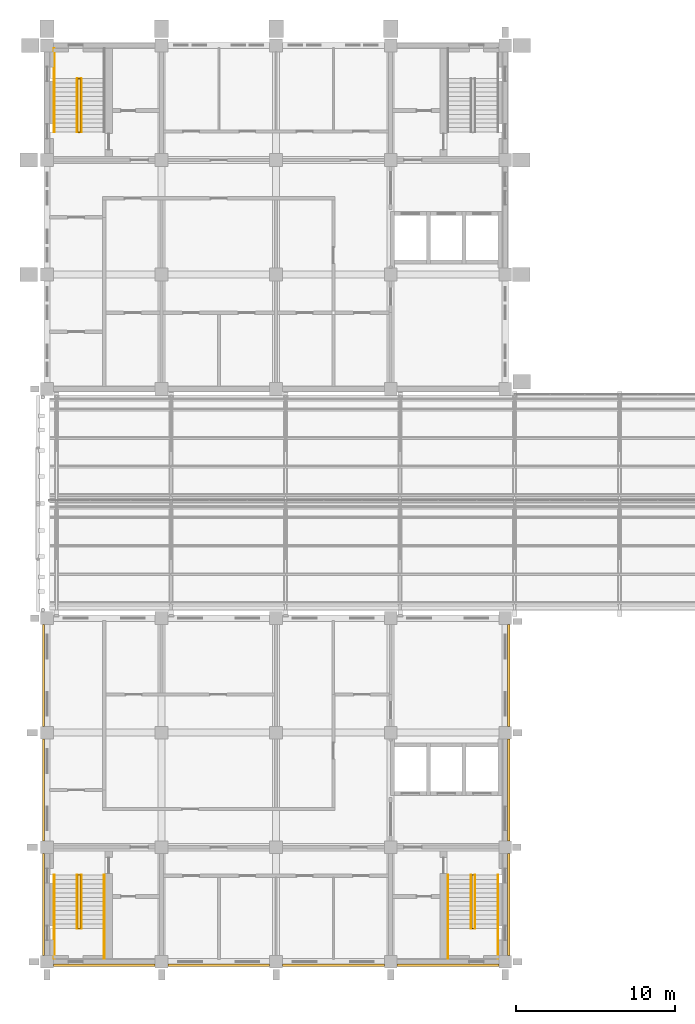
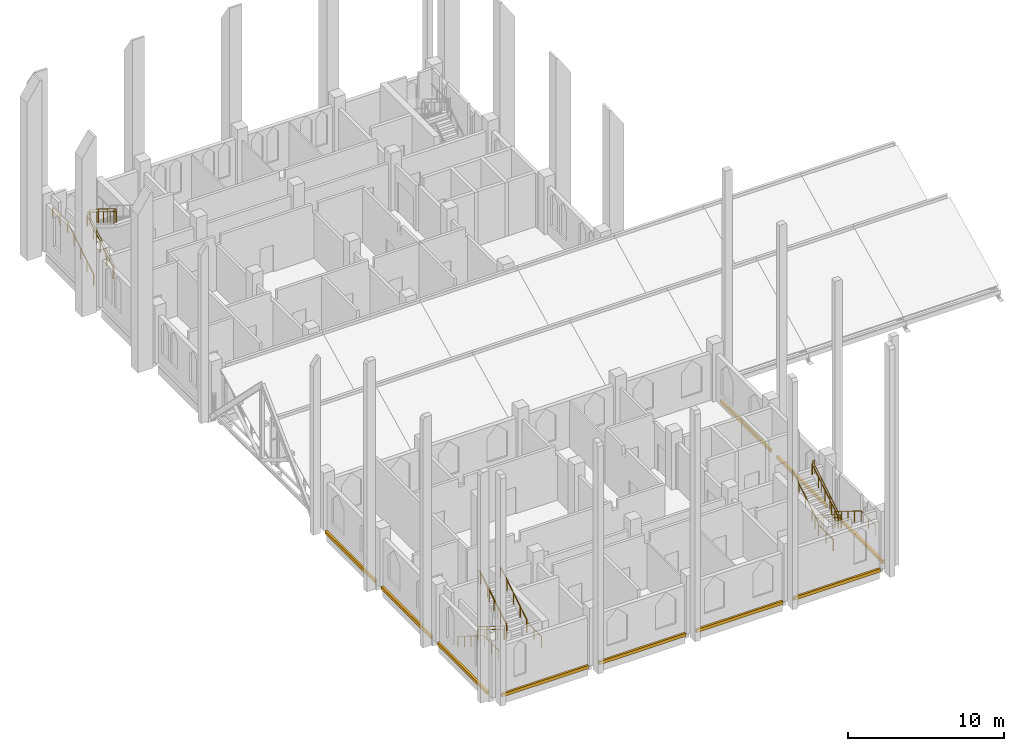
# One storey, part 28 of 29: 14 railings, 10 coverings.
"""IFC4 building model written with IfcOpenShell, lengths in metres."""

from ifc_helpers import new_model, si_unit, direction, frame, origin, origin_2d, place, context, subcontext, project, spatial, rectangle, circle, extrude, material, type_object, element, save


model = new_model("IFC4")

# Units and contexts
model_context = context("Model", 3, precision=1e-05, world=origin(), true_north=direction((0.0, 1.0)))
body_context = subcontext(model_context, "Body", "Model", "MODEL_VIEW")
ifc_project = project(units=[si_unit("LENGTHUNIT", "METRE"), si_unit("AREAUNIT", "SQUARE_METRE"), si_unit("VOLUMEUNIT", "CUBIC_METRE"), si_unit("PLANEANGLEUNIT", "RADIAN"), si_unit("MASSUNIT", "GRAM", prefix="KILO")], contexts=[model_context])

# Site, building, storey
site_placement = place(None, origin())
site = spatial("IfcSite", under=ifc_project, at=site_placement, CompositionType="ELEMENT")
building_placement = place(site_placement, origin())
building = spatial("IfcBuilding", under=site, at=building_placement, Name="Silangan Lancet Faculty of Sciences", CompositionType="ELEMENT")
storey_placement = place(building_placement, frame((0.0, 0.0, 40.800048828125)))
storey = spatial("IfcBuildingStorey", under=building, at=storey_placement, Name="L08", CompositionType="ELEMENT", Elevation=40.800048828125)

# Coverings
ifc_material_1 = material(Name="Concrete C40/50 precast", Category="concrete")
covering_type = type_object("IfcCoveringType", Name="SC1 Precast string course 250 x 150", PredefinedType="CLADDING", material=ifc_material_1)
for number, where, z_axis, x_axis, name in (
    (1, (29.02490234375, 3.60009765625, -0.25), (0.0, 0.0, 1.0), (1.0, 0.0, 0.0), "SC-L08-E-ST-00"),
    (2, (29.02490234375, 10.800048828125, -0.25), (0.0, 0.0, 1.0), (1.0, 0.0, 0.0), "SC-L08-E-ST-01"),
    (3, (29.02490234375, 18.0, -0.25), (0.0, 0.0, 1.0), (1.0, 0.0, 0.0), "SC-L08-E-ST-02"),
):
    element("IfcCovering", number, at=place(storey_placement, frame(where, z_axis=z_axis, x_axis=x_axis)), inside=storey, type_object=covering_type, Name=name, PredefinedType="CLADDING", context=body_context, shape_type="SweptSolid", body=[
        extrude(rectangle(XDim=0.14990234375, YDim=6.39990234375, at=origin_2d()), origin(), (0.0, 0.0, 1.0), 0.25),
    ])
for number, where, z_axis, x_axis, name in (
    (4, (3.60009765625, -0.22509765625, -0.25), (0.0, 0.0, 1.0), (1.0, 0.0, 0.0), "SC-L08-S-ST-00"),
    (5, (10.800048828125, -0.22509765625, -0.25), (0.0, 0.0, 1.0), (1.0, 0.0, 0.0), "SC-L08-S-ST-01"),
    (6, (18.0, -0.22509765625, -0.25), (0.0, 0.0, 1.0), (1.0, 0.0, 0.0), "SC-L08-S-ST-02"),
    (7, (25.199951171875, -0.22509765625, -0.25), (0.0, 0.0, 1.0), (1.0, 0.0, 0.0), "SC-L08-S-ST-03"),
):
    element("IfcCovering", number, at=place(storey_placement, frame(where, z_axis=z_axis, x_axis=x_axis)), inside=storey, type_object=covering_type, Name=name, PredefinedType="CLADDING", context=body_context, shape_type="SweptSolid", body=[
        extrude(rectangle(XDim=6.39990234375, YDim=0.14990234375, at=origin_2d()), origin(), (0.0, 0.0, 1.0), 0.25),
    ])
for number, where, z_axis, x_axis, name in (
    (8, (-0.22509765625, 3.60009765625, -0.25), (0.0, 0.0, 1.0), (1.0, 0.0, 0.0), "SC-L08-W-ST-00"),
    (9, (-0.22509765625, 10.800048828125, -0.25), (0.0, 0.0, 1.0), (1.0, 0.0, 0.0), "SC-L08-W-ST-01"),
    (10, (-0.22509765625, 18.0, -0.25), (0.0, 0.0, 1.0), (1.0, 0.0, 0.0), "SC-L08-W-ST-02"),
):
    element("IfcCovering", number, at=place(storey_placement, frame(where, z_axis=z_axis, x_axis=x_axis)), inside=storey, type_object=covering_type, Name=name, PredefinedType="CLADDING", context=body_context, shape_type="SweptSolid", body=[
        extrude(rectangle(XDim=0.14990234375, YDim=6.39990234375, at=origin_2d()), origin(), (0.0, 0.0, 1.0), 0.25),
    ])

# Railings
ifc_material_2 = material(Name="Steel balustrade", Category="steel")
railing_type_1 = type_object("IfcRailingType", Name="STAIR GUARD 1100", PredefinedType="GUARDRAIL", material=ifc_material_2)
railing_1_placement = place(storey_placement, frame((1.949951171875, 52.14990234375, 0.173095703125)))
element("IfcRailing", 11, at=railing_1_placement, inside=storey, type_object=railing_type_1, Name="GUARD-NT-A-L08", PredefinedType="GUARDRAIL", context=body_context, shape_type="SweptSolid", body=[
    extrude(circle(Radius=0.02392578125, at=origin_2d()), frame((0.0, 0.0, 1.076171875), z_axis=(0.0, 0.850623216509, 0.525775754039), x_axis=(-1.0, 0.0, 0.0)), (0.0, 0.0, 1.0), 3.9501953125),
    extrude(circle(Radius=0.02392578125, at=origin_2d()), frame((0.0, 3.360107421875, 3.15283203125), z_axis=(1.0, 0.0, 0.0), x_axis=(0.0, 1.0, 0.0)), (0.0, 0.0, 1.0), 0.150146484375),
    extrude(circle(Radius=0.02392578125, at=origin_2d()), frame((0.150146484375, 3.360107421875, 3.15283203125), z_axis=(0.0, 0.0, 1.0), x_axis=(1.0, 0.0, 0.0)), (0.0, 0.0, 1.0), 0.173095703125),
    extrude(circle(Radius=0.02392578125, at=origin_2d()), frame((0.150146484375, 3.360107421875, 3.326171875), z_axis=(0.0, -0.850623216509, 0.525775754039), x_axis=(1.0, 0.0, 0.0)), (0.0, 0.0, 1.0), 3.9501953125),
    extrude(circle(Radius=0.02392578125, at=origin_2d()), frame((0.150146484375, 0.0, 5.40283203125), z_axis=(-1.0, 0.0, 0.0), x_axis=(0.0, -1.0, 0.0)), (0.0, 0.0, 1.0), 0.150146484375),
    extrude(circle(Radius=0.02099609375, at=origin_2d()), origin(), (0.0, 0.0, 1.0), 1.052001953125),
    extrude(circle(Radius=0.02099609375, at=origin_2d()), frame((0.0, 1.1201171875, 0.6923828125)), (0.0, 0.0, 1.0), 1.052001953125),
    extrude(circle(Radius=0.02099609375, at=origin_2d()), frame((0.0, 2.239990234375, 1.384521484375)), (0.0, 0.0, 1.0), 1.052001953125),
    extrude(circle(Radius=0.02099609375, at=origin_2d()), frame((0.0, 3.360107421875, 2.076904296875)), (0.0, 0.0, 1.0), 1.052001953125),
    extrude(circle(Radius=0.02099609375, at=origin_2d()), frame((0.150146484375, 3.360107421875, 2.076904296875)), (0.0, 0.0, 1.0), 1.052001953125),
    extrude(circle(Radius=0.02099609375, at=origin_2d()), frame((0.150146484375, 3.360107421875, 2.25)), (0.0, 0.0, 1.0), 1.052001953125),
    extrude(circle(Radius=0.02099609375, at=origin_2d()), frame((0.150146484375, 2.239990234375, 2.9423828125)), (0.0, 0.0, 1.0), 1.052001953125),
    extrude(circle(Radius=0.02099609375, at=origin_2d()), frame((0.150146484375, 1.1201171875, 3.634521484375)), (0.0, 0.0, 1.0), 1.052001953125),
    extrude(circle(Radius=0.02099609375, at=origin_2d()), frame((0.150146484375, 0.0, 4.326904296875)), (0.0, 0.0, 1.0), 1.052001953125),
    extrude(circle(Radius=0.02099609375, at=origin_2d()), frame((0.0, 0.0, 4.326904296875)), (0.0, 0.0, 1.0), 1.052001953125),
])
railing_2_placement = place(storey_placement, frame((1.949951171875, 5.449951171875, 0.173095703125)))
element("IfcRailing", 12, at=railing_2_placement, inside=storey, type_object=railing_type_1, Name="GUARD-ST-A-L08", PredefinedType="GUARDRAIL", context=body_context, shape_type="SweptSolid", body=[
    extrude(circle(Radius=0.02392578125, at=origin_2d()), frame((0.0, 0.0, 1.076171875), z_axis=(0.0, -0.850606129759, 0.525803396734), x_axis=(1.0, 0.0, 0.0)), (0.0, 0.0, 1.0), 3.949951171875),
    extrude(circle(Radius=0.02392578125, at=origin_2d()), frame((0.0, -3.35986328125, 3.15283203125), z_axis=(1.0, 0.0, 0.0), x_axis=(0.0, 1.0, 0.0)), (0.0, 0.0, 1.0), 0.150146484375),
    extrude(circle(Radius=0.02392578125, at=origin_2d()), frame((0.150146484375, -3.35986328125, 3.15283203125), z_axis=(0.0, 0.0, 1.0), x_axis=(1.0, 0.0, 0.0)), (0.0, 0.0, 1.0), 0.173095703125),
    extrude(circle(Radius=0.02392578125, at=origin_2d()), frame((0.150146484375, -3.35986328125, 3.326171875), z_axis=(0.0, 0.850606129759, 0.525803396734), x_axis=(-1.0, 0.0, 0.0)), (0.0, 0.0, 1.0), 3.949951171875),
    extrude(circle(Radius=0.02392578125, at=origin_2d()), frame((0.150146484375, 0.0, 5.40283203125), z_axis=(-1.0, 0.0, 0.0), x_axis=(0.0, -1.0, 0.0)), (0.0, 0.0, 1.0), 0.150146484375),
    extrude(circle(Radius=0.02099609375, at=origin_2d()), origin(), (0.0, 0.0, 1.0), 1.052001953125),
    extrude(circle(Radius=0.02099609375, at=origin_2d()), frame((0.0, -1.119873046875, 0.6923828125)), (0.0, 0.0, 1.0), 1.052001953125),
    extrude(circle(Radius=0.02099609375, at=origin_2d()), frame((0.0, -2.239990234375, 1.384521484375)), (0.0, 0.0, 1.0), 1.052001953125),
    extrude(circle(Radius=0.02099609375, at=origin_2d()), frame((0.0, -3.35986328125, 2.076904296875)), (0.0, 0.0, 1.0), 1.052001953125),
    extrude(circle(Radius=0.02099609375, at=origin_2d()), frame((0.150146484375, -3.35986328125, 2.076904296875)), (0.0, 0.0, 1.0), 1.052001953125),
    extrude(circle(Radius=0.02099609375, at=origin_2d()), frame((0.150146484375, -3.35986328125, 2.25)), (0.0, 0.0, 1.0), 1.052001953125),
    extrude(circle(Radius=0.02099609375, at=origin_2d()), frame((0.150146484375, -2.239990234375, 2.9423828125)), (0.0, 0.0, 1.0), 1.052001953125),
    extrude(circle(Radius=0.02099609375, at=origin_2d()), frame((0.150146484375, -1.119873046875, 3.634521484375)), (0.0, 0.0, 1.0), 1.052001953125),
    extrude(circle(Radius=0.02099609375, at=origin_2d()), frame((0.150146484375, 0.0, 4.326904296875)), (0.0, 0.0, 1.0), 1.052001953125),
    extrude(circle(Radius=0.02099609375, at=origin_2d()), frame((0.0, 0.0, 4.326904296875)), (0.0, 0.0, 1.0), 1.052001953125),
])
railing_3_placement = place(storey_placement, frame((26.85009765625, 5.449951171875, 0.173095703125)))
element("IfcRailing", 13, at=railing_3_placement, inside=storey, type_object=railing_type_1, Name="GUARD-ST-B-L08", PredefinedType="GUARDRAIL", context=body_context, shape_type="SweptSolid", body=[
    extrude(circle(Radius=0.02392578125, at=origin_2d()), frame((0.0, 0.0, 1.076171875), z_axis=(0.0, -0.850606129759, 0.525803396734), x_axis=(1.0, 0.0, 0.0)), (0.0, 0.0, 1.0), 3.949951171875),
    extrude(circle(Radius=0.02392578125, at=origin_2d()), frame((0.0, -3.35986328125, 3.15283203125), z_axis=(-1.0, 0.0, 0.0), x_axis=(0.0, -1.0, 0.0)), (0.0, 0.0, 1.0), 0.150146484375),
    extrude(circle(Radius=0.02392578125, at=origin_2d()), frame((-0.150146484375, -3.35986328125, 3.15283203125), z_axis=(0.0, 0.0, 1.0), x_axis=(1.0, 0.0, 0.0)), (0.0, 0.0, 1.0), 0.173095703125),
    extrude(circle(Radius=0.02392578125, at=origin_2d()), frame((-0.150146484375, -3.35986328125, 3.326171875), z_axis=(0.0, 0.850606129759, 0.525803396734), x_axis=(-1.0, 0.0, 0.0)), (0.0, 0.0, 1.0), 3.949951171875),
    extrude(circle(Radius=0.02392578125, at=origin_2d()), frame((-0.150146484375, 0.0, 5.40283203125), z_axis=(1.0, 0.0, 0.0), x_axis=(0.0, 1.0, 0.0)), (0.0, 0.0, 1.0), 0.150146484375),
    extrude(circle(Radius=0.02099609375, at=origin_2d()), origin(), (0.0, 0.0, 1.0), 1.052001953125),
    extrude(circle(Radius=0.02099609375, at=origin_2d()), frame((0.0, -1.119873046875, 0.6923828125)), (0.0, 0.0, 1.0), 1.052001953125),
    extrude(circle(Radius=0.02099609375, at=origin_2d()), frame((0.0, -2.239990234375, 1.384521484375)), (0.0, 0.0, 1.0), 1.052001953125),
    extrude(circle(Radius=0.02099609375, at=origin_2d()), frame((0.0, -3.35986328125, 2.076904296875)), (0.0, 0.0, 1.0), 1.052001953125),
    extrude(circle(Radius=0.02099609375, at=origin_2d()), frame((-0.150146484375, -3.35986328125, 2.076904296875)), (0.0, 0.0, 1.0), 1.052001953125),
    extrude(circle(Radius=0.02099609375, at=origin_2d()), frame((-0.150146484375, -3.35986328125, 2.25)), (0.0, 0.0, 1.0), 1.052001953125),
    extrude(circle(Radius=0.02099609375, at=origin_2d()), frame((-0.150146484375, -2.239990234375, 2.9423828125)), (0.0, 0.0, 1.0), 1.052001953125),
    extrude(circle(Radius=0.02099609375, at=origin_2d()), frame((-0.150146484375, -1.119873046875, 3.634521484375)), (0.0, 0.0, 1.0), 1.052001953125),
    extrude(circle(Radius=0.02099609375, at=origin_2d()), frame((-0.150146484375, 0.0, 4.326904296875)), (0.0, 0.0, 1.0), 1.052001953125),
    extrude(circle(Radius=0.02099609375, at=origin_2d()), frame((0.0, 0.0, 4.326904296875)), (0.0, 0.0, 1.0), 1.052001953125),
])
ifc_material_3 = material(Name="Stainless steel", Category="steel")
railing_type_2 = type_object("IfcRailingType", Name="STAIR HANDRAIL 865", PredefinedType="HANDRAIL", material=ifc_material_3)
railing_4_placement = place(storey_placement, frame((0.449951171875, 52.14990234375, 0.173095703125)))
element("IfcRailing", 14, at=railing_4_placement, inside=storey, type_object=railing_type_2, Name="HANDRAIL-NT-A-L08-O1", PredefinedType="HANDRAIL", context=body_context, shape_type="SweptSolid", body=[
    extrude(circle(Radius=0.02392578125, at=origin_2d()), frame((0.0, 0.0, 0.8408203125), z_axis=(0.0, 0.850723215571, 0.525613936734), x_axis=(-1.0, 0.0, 0.0)), (0.0, 0.0, 1.0), 0.987548828125),
    extrude(circle(Radius=0.02392578125, at=origin_2d()), frame((0.0, 0.840087890625, 1.35986328125), z_axis=(0.0, 0.85061266112, 0.525792830631), x_axis=(-1.0, 0.0, 0.0)), (0.0, 0.0, 1.0), 0.987548828125),
    extrude(circle(Radius=0.02392578125, at=origin_2d()), frame((0.0, 1.68017578125, 1.87939453125), z_axis=(0.0, 0.850544299321, 0.52590340833), x_axis=(-1.0, 0.0, 0.0)), (0.0, 0.0, 1.0), 0.9873046875),
    extrude(circle(Radius=0.02392578125, at=origin_2d()), frame((0.0, 2.52001953125, 2.3984375), z_axis=(0.0, 0.85061266112, 0.525792830631), x_axis=(-1.0, 0.0, 0.0)), (0.0, 0.0, 1.0), 0.987548828125),
    extrude(circle(Radius=0.02392578125, at=origin_2d()), frame((0.0, 3.360107421875, 2.91796875), z_axis=(0.0, 1.0, 0.0), x_axis=(-1.0, 0.0, 0.0)), (0.0, 0.0, 1.0), 1.889892578125),
    extrude(circle(Radius=0.02099609375, at=origin_2d()), origin(), (0.0, 0.0, 1.0), 0.81689453125),
    extrude(circle(Radius=0.02099609375, at=origin_2d()), frame((0.0, 0.840087890625, 0.51904296875)), (0.0, 0.0, 1.0), 0.81689453125),
    extrude(circle(Radius=0.02099609375, at=origin_2d()), frame((0.0, 1.68017578125, 1.038330078125)), (0.0, 0.0, 1.0), 0.81689453125),
    extrude(circle(Radius=0.02099609375, at=origin_2d()), frame((0.0, 2.52001953125, 1.5576171875)), (0.0, 0.0, 1.0), 0.81689453125),
    extrude(circle(Radius=0.02099609375, at=origin_2d()), frame((0.0, 3.360107421875, 2.076904296875)), (0.0, 0.0, 1.0), 0.81689453125),
    extrude(circle(Radius=0.02099609375, at=origin_2d()), frame((0.0, 4.30517578125, 2.076904296875)), (0.0, 0.0, 1.0), 0.81689453125),
    extrude(circle(Radius=0.02099609375, at=origin_2d()), frame((0.0, 5.25, 2.076904296875)), (0.0, 0.0, 1.0), 0.81689453125),
])
railing_5_placement = place(storey_placement, frame((1.89990234375, 52.14990234375, 0.173095703125)))
element("IfcRailing", 15, at=railing_5_placement, inside=storey, type_object=railing_type_2, Name="HANDRAIL-NT-A-L08-I1", PredefinedType="HANDRAIL", context=body_context, shape_type="SweptSolid", body=[
    extrude(circle(Radius=0.02392578125, at=origin_2d()), frame((0.0, 0.0, 0.8408203125), z_axis=(0.0, 0.850723215571, 0.525613936734), x_axis=(-1.0, 0.0, 0.0)), (0.0, 0.0, 1.0), 0.987548828125),
    extrude(circle(Radius=0.02392578125, at=origin_2d()), frame((0.0, 0.840087890625, 1.35986328125), z_axis=(0.0, 0.85061266112, 0.525792830631), x_axis=(-1.0, 0.0, 0.0)), (0.0, 0.0, 1.0), 0.987548828125),
    extrude(circle(Radius=0.02392578125, at=origin_2d()), frame((0.0, 1.68017578125, 1.87939453125), z_axis=(0.0, 0.850544299321, 0.52590340833), x_axis=(-1.0, 0.0, 0.0)), (0.0, 0.0, 1.0), 0.9873046875),
    extrude(circle(Radius=0.02392578125, at=origin_2d()), frame((0.0, 2.52001953125, 2.3984375), z_axis=(0.0, 0.85061266112, 0.525792830631), x_axis=(-1.0, 0.0, 0.0)), (0.0, 0.0, 1.0), 0.987548828125),
    extrude(circle(Radius=0.02099609375, at=origin_2d()), origin(), (0.0, 0.0, 1.0), 0.81689453125),
    extrude(circle(Radius=0.02099609375, at=origin_2d()), frame((0.0, 0.840087890625, 0.51904296875)), (0.0, 0.0, 1.0), 0.81689453125),
    extrude(circle(Radius=0.02099609375, at=origin_2d()), frame((0.0, 1.68017578125, 1.038330078125)), (0.0, 0.0, 1.0), 0.81689453125),
    extrude(circle(Radius=0.02099609375, at=origin_2d()), frame((0.0, 2.52001953125, 1.5576171875)), (0.0, 0.0, 1.0), 0.81689453125),
    extrude(circle(Radius=0.02099609375, at=origin_2d()), frame((0.0, 3.360107421875, 2.076904296875)), (0.0, 0.0, 1.0), 0.81689453125),
])
railing_6_placement = place(storey_placement, frame((2.14990234375, 55.510009765625, 2.423095703125)))
element("IfcRailing", 16, at=railing_6_placement, inside=storey, type_object=railing_type_2, Name="HANDRAIL-NT-A-L08-I2", PredefinedType="HANDRAIL", context=body_context, shape_type="SweptSolid", body=[
    extrude(circle(Radius=0.02392578125, at=origin_2d()), frame((0.0, 0.0, 0.8408203125), z_axis=(0.0, -0.850723215571, 0.525613936734), x_axis=(1.0, 0.0, 0.0)), (0.0, 0.0, 1.0), 0.987548828125),
    extrude(circle(Radius=0.02392578125, at=origin_2d()), frame((0.0, -0.840087890625, 1.35986328125), z_axis=(0.0, -0.850544299321, 0.52590340833), x_axis=(1.0, 0.0, 0.0)), (0.0, 0.0, 1.0), 0.9873046875),
    extrude(circle(Radius=0.02392578125, at=origin_2d()), frame((0.0, -1.679931640625, 1.87939453125), z_axis=(0.0, -0.85061266112, 0.525792830631), x_axis=(1.0, 0.0, 0.0)), (0.0, 0.0, 1.0), 0.987548828125),
    extrude(circle(Radius=0.02392578125, at=origin_2d()), frame((0.0, -2.52001953125, 2.3984375), z_axis=(0.0, -0.85061266112, 0.525792830631), x_axis=(1.0, 0.0, 0.0)), (0.0, 0.0, 1.0), 0.987548828125),
    extrude(circle(Radius=0.02099609375, at=origin_2d()), origin(), (0.0, 0.0, 1.0), 0.81689453125),
    extrude(circle(Radius=0.02099609375, at=origin_2d()), frame((0.0, -0.840087890625, 0.51904296875)), (0.0, 0.0, 1.0), 0.81689453125),
    extrude(circle(Radius=0.02099609375, at=origin_2d()), frame((0.0, -1.679931640625, 1.038330078125)), (0.0, 0.0, 1.0), 0.81689453125),
    extrude(circle(Radius=0.02099609375, at=origin_2d()), frame((0.0, -2.52001953125, 1.5576171875)), (0.0, 0.0, 1.0), 0.81689453125),
    extrude(circle(Radius=0.02099609375, at=origin_2d()), frame((0.0, -3.360107421875, 2.076904296875)), (0.0, 0.0, 1.0), 0.81689453125),
])
railing_7_placement = place(storey_placement, frame((0.449951171875, 5.449951171875, 0.173095703125)))
element("IfcRailing", 17, at=railing_7_placement, inside=storey, type_object=railing_type_2, Name="HANDRAIL-ST-A-L08-O1", PredefinedType="HANDRAIL", context=body_context, shape_type="SweptSolid", body=[
    extrude(circle(Radius=0.02392578125, at=origin_2d()), frame((0.0, 0.0, 0.8408203125), z_axis=(0.0, -0.850654891397, 0.525724505556), x_axis=(1.0, 0.0, 0.0)), (0.0, 0.0, 1.0), 0.9873046875),
    extrude(circle(Radius=0.02392578125, at=origin_2d()), frame((0.0, -0.83984375, 1.35986328125), z_axis=(0.0, -0.85061266112, 0.525792830631), x_axis=(1.0, 0.0, 0.0)), (0.0, 0.0, 1.0), 0.987548828125),
    extrude(circle(Radius=0.02392578125, at=origin_2d()), frame((0.0, -1.679931640625, 1.87939453125), z_axis=(0.0, -0.85061266112, 0.525792830631), x_axis=(1.0, 0.0, 0.0)), (0.0, 0.0, 1.0), 0.987548828125),
    extrude(circle(Radius=0.02392578125, at=origin_2d()), frame((0.0, -2.52001953125, 2.3984375), z_axis=(0.0, -0.850544299321, 0.52590340833), x_axis=(1.0, 0.0, 0.0)), (0.0, 0.0, 1.0), 0.9873046875),
    extrude(circle(Radius=0.02392578125, at=origin_2d()), frame((0.0, -3.35986328125, 2.91796875), z_axis=(0.0, -1.0, 0.0), x_axis=(1.0, 0.0, 0.0)), (0.0, 0.0, 1.0), 1.89013671875),
    extrude(circle(Radius=0.02099609375, at=origin_2d()), origin(), (0.0, 0.0, 1.0), 0.81689453125),
    extrude(circle(Radius=0.02099609375, at=origin_2d()), frame((0.0, -0.83984375, 0.51904296875)), (0.0, 0.0, 1.0), 0.81689453125),
    extrude(circle(Radius=0.02099609375, at=origin_2d()), frame((0.0, -1.679931640625, 1.038330078125)), (0.0, 0.0, 1.0), 0.81689453125),
    extrude(circle(Radius=0.02099609375, at=origin_2d()), frame((0.0, -2.52001953125, 1.5576171875)), (0.0, 0.0, 1.0), 0.81689453125),
    extrude(circle(Radius=0.02099609375, at=origin_2d()), frame((0.0, -3.35986328125, 2.076904296875)), (0.0, 0.0, 1.0), 0.81689453125),
    extrude(circle(Radius=0.02099609375, at=origin_2d()), frame((0.0, -4.304931640625, 2.076904296875)), (0.0, 0.0, 1.0), 0.81689453125),
    extrude(circle(Radius=0.02099609375, at=origin_2d()), frame((0.0, -5.25, 2.076904296875)), (0.0, 0.0, 1.0), 0.81689453125),
])
railing_8_placement = place(storey_placement, frame((1.89990234375, 5.449951171875, 0.173095703125)))
element("IfcRailing", 18, at=railing_8_placement, inside=storey, type_object=railing_type_2, Name="HANDRAIL-ST-A-L08-I1", PredefinedType="HANDRAIL", context=body_context, shape_type="SweptSolid", body=[
    extrude(circle(Radius=0.02392578125, at=origin_2d()), frame((0.0, 0.0, 0.8408203125), z_axis=(0.0, -0.850654891397, 0.525724505556), x_axis=(1.0, 0.0, 0.0)), (0.0, 0.0, 1.0), 0.9873046875),
    extrude(circle(Radius=0.02392578125, at=origin_2d()), frame((0.0, -0.83984375, 1.35986328125), z_axis=(0.0, -0.85061266112, 0.525792830631), x_axis=(1.0, 0.0, 0.0)), (0.0, 0.0, 1.0), 0.987548828125),
    extrude(circle(Radius=0.02392578125, at=origin_2d()), frame((0.0, -1.679931640625, 1.87939453125), z_axis=(0.0, -0.85061266112, 0.525792830631), x_axis=(1.0, 0.0, 0.0)), (0.0, 0.0, 1.0), 0.987548828125),
    extrude(circle(Radius=0.02392578125, at=origin_2d()), frame((0.0, -2.52001953125, 2.3984375), z_axis=(0.0, -0.850544299321, 0.52590340833), x_axis=(1.0, 0.0, 0.0)), (0.0, 0.0, 1.0), 0.9873046875),
    extrude(circle(Radius=0.02099609375, at=origin_2d()), origin(), (0.0, 0.0, 1.0), 0.81689453125),
    extrude(circle(Radius=0.02099609375, at=origin_2d()), frame((0.0, -0.83984375, 0.51904296875)), (0.0, 0.0, 1.0), 0.81689453125),
    extrude(circle(Radius=0.02099609375, at=origin_2d()), frame((0.0, -1.679931640625, 1.038330078125)), (0.0, 0.0, 1.0), 0.81689453125),
    extrude(circle(Radius=0.02099609375, at=origin_2d()), frame((0.0, -2.52001953125, 1.5576171875)), (0.0, 0.0, 1.0), 0.81689453125),
    extrude(circle(Radius=0.02099609375, at=origin_2d()), frame((0.0, -3.35986328125, 2.076904296875)), (0.0, 0.0, 1.0), 0.81689453125),
])
railing_9_placement = place(storey_placement, frame((3.60009765625, 0.199951171875, 2.25)))
element("IfcRailing", 19, at=railing_9_placement, inside=storey, type_object=railing_type_2, Name="HANDRAIL-ST-A-L08-O2", PredefinedType="HANDRAIL", context=body_context, shape_type="SweptSolid", body=[
    extrude(circle(Radius=0.02392578125, at=origin_2d()), frame((0.0, 0.0, 0.8408203125), z_axis=(0.0, 1.0, 0.0), x_axis=(-1.0, 0.0, 0.0)), (0.0, 0.0, 1.0), 1.89013671875),
    extrude(circle(Radius=0.02392578125, at=origin_2d()), frame((0.0, 1.89013671875, 0.8408203125), z_axis=(0.0, 0.0, 1.0), x_axis=(1.0, 0.0, 0.0)), (0.0, 0.0, 1.0), 0.173095703125),
    extrude(circle(Radius=0.02392578125, at=origin_2d()), frame((0.0, 1.89013671875, 1.01416015625), z_axis=(0.0, 0.850654891397, 0.525724505556), x_axis=(-1.0, 0.0, 0.0)), (0.0, 0.0, 1.0), 0.9873046875),
    extrude(circle(Radius=0.02392578125, at=origin_2d()), frame((0.0, 2.72998046875, 1.533203125), z_axis=(0.0, 0.85061266112, 0.525792830631), x_axis=(-1.0, 0.0, 0.0)), (0.0, 0.0, 1.0), 0.987548828125),
    extrude(circle(Radius=0.02392578125, at=origin_2d()), frame((0.0, 3.570068359375, 2.05224609375), z_axis=(0.0, 0.85061266112, 0.525792830631), x_axis=(-1.0, 0.0, 0.0)), (0.0, 0.0, 1.0), 0.987548828125),
    extrude(circle(Radius=0.02392578125, at=origin_2d()), frame((0.0, 4.41015625, 2.57177734375), z_axis=(0.0, 0.850544299321, 0.52590340833), x_axis=(-1.0, 0.0, 0.0)), (0.0, 0.0, 1.0), 0.9873046875),
    extrude(circle(Radius=0.02099609375, at=origin_2d()), origin(), (0.0, 0.0, 1.0), 0.81689453125),
    extrude(circle(Radius=0.02099609375, at=origin_2d()), frame((0.0, 0.945068359375, 0.0)), (0.0, 0.0, 1.0), 0.81689453125),
    extrude(circle(Radius=0.02099609375, at=origin_2d()), frame((0.0, 1.89013671875, 0.0)), (0.0, 0.0, 1.0), 0.81689453125),
    extrude(circle(Radius=0.02099609375, at=origin_2d()), frame((0.0, 1.89013671875, 0.173095703125)), (0.0, 0.0, 1.0), 0.81689453125),
    extrude(circle(Radius=0.02099609375, at=origin_2d()), frame((0.0, 2.72998046875, 0.692138671875)), (0.0, 0.0, 1.0), 0.81689453125),
    extrude(circle(Radius=0.02099609375, at=origin_2d()), frame((0.0, 3.570068359375, 1.21142578125)), (0.0, 0.0, 1.0), 0.81689453125),
    extrude(circle(Radius=0.02099609375, at=origin_2d()), frame((0.0, 4.41015625, 1.730712890625)), (0.0, 0.0, 1.0), 0.81689453125),
    extrude(circle(Radius=0.02099609375, at=origin_2d()), frame((0.0, 5.25, 2.25)), (0.0, 0.0, 1.0), 0.81689453125),
])
railing_10_placement = place(storey_placement, frame((2.14990234375, 2.090087890625, 2.423095703125)))
element("IfcRailing", 20, at=railing_10_placement, inside=storey, type_object=railing_type_2, Name="HANDRAIL-ST-A-L08-I2", PredefinedType="HANDRAIL", context=body_context, shape_type="SweptSolid", body=[
    extrude(circle(Radius=0.02392578125, at=origin_2d()), frame((0.0, 0.0, 0.8408203125), z_axis=(0.0, 0.850654891397, 0.525724505556), x_axis=(-1.0, 0.0, 0.0)), (0.0, 0.0, 1.0), 0.9873046875),
    extrude(circle(Radius=0.02392578125, at=origin_2d()), frame((0.0, 0.83984375, 1.35986328125), z_axis=(0.0, 0.85061266112, 0.525792830631), x_axis=(-1.0, 0.0, 0.0)), (0.0, 0.0, 1.0), 0.987548828125),
    extrude(circle(Radius=0.02392578125, at=origin_2d()), frame((0.0, 1.679931640625, 1.87939453125), z_axis=(0.0, 0.85061266112, 0.525792830631), x_axis=(-1.0, 0.0, 0.0)), (0.0, 0.0, 1.0), 0.987548828125),
    extrude(circle(Radius=0.02392578125, at=origin_2d()), frame((0.0, 2.52001953125, 2.3984375), z_axis=(0.0, 0.850544299321, 0.52590340833), x_axis=(-1.0, 0.0, 0.0)), (0.0, 0.0, 1.0), 0.9873046875),
    extrude(circle(Radius=0.02099609375, at=origin_2d()), origin(), (0.0, 0.0, 1.0), 0.81689453125),
    extrude(circle(Radius=0.02099609375, at=origin_2d()), frame((0.0, 0.83984375, 0.51904296875)), (0.0, 0.0, 1.0), 0.81689453125),
    extrude(circle(Radius=0.02099609375, at=origin_2d()), frame((0.0, 1.679931640625, 1.038330078125)), (0.0, 0.0, 1.0), 0.81689453125),
    extrude(circle(Radius=0.02099609375, at=origin_2d()), frame((0.0, 2.52001953125, 1.5576171875)), (0.0, 0.0, 1.0), 0.81689453125),
    extrude(circle(Radius=0.02099609375, at=origin_2d()), frame((0.0, 3.35986328125, 2.076904296875)), (0.0, 0.0, 1.0), 0.81689453125),
])
railing_11_placement = place(storey_placement, frame((28.35009765625, 5.449951171875, 0.173095703125)))
element("IfcRailing", 21, at=railing_11_placement, inside=storey, type_object=railing_type_2, Name="HANDRAIL-ST-B-L08-O1", PredefinedType="HANDRAIL", context=body_context, shape_type="SweptSolid", body=[
    extrude(circle(Radius=0.02392578125, at=origin_2d()), frame((0.0, 0.0, 0.8408203125), z_axis=(0.0, -0.850654891397, 0.525724505556), x_axis=(1.0, 0.0, 0.0)), (0.0, 0.0, 1.0), 0.9873046875),
    extrude(circle(Radius=0.02392578125, at=origin_2d()), frame((0.0, -0.83984375, 1.35986328125), z_axis=(0.0, -0.85061266112, 0.525792830631), x_axis=(1.0, 0.0, 0.0)), (0.0, 0.0, 1.0), 0.987548828125),
    extrude(circle(Radius=0.02392578125, at=origin_2d()), frame((0.0, -1.679931640625, 1.87939453125), z_axis=(0.0, -0.85061266112, 0.525792830631), x_axis=(1.0, 0.0, 0.0)), (0.0, 0.0, 1.0), 0.987548828125),
    extrude(circle(Radius=0.02392578125, at=origin_2d()), frame((0.0, -2.52001953125, 2.3984375), z_axis=(0.0, -0.850544299321, 0.52590340833), x_axis=(1.0, 0.0, 0.0)), (0.0, 0.0, 1.0), 0.9873046875),
    extrude(circle(Radius=0.02392578125, at=origin_2d()), frame((0.0, -3.35986328125, 2.91796875), z_axis=(0.0, -1.0, 0.0), x_axis=(1.0, 0.0, 0.0)), (0.0, 0.0, 1.0), 1.89013671875),
    extrude(circle(Radius=0.02099609375, at=origin_2d()), origin(), (0.0, 0.0, 1.0), 0.81689453125),
    extrude(circle(Radius=0.02099609375, at=origin_2d()), frame((0.0, -0.83984375, 0.51904296875)), (0.0, 0.0, 1.0), 0.81689453125),
    extrude(circle(Radius=0.02099609375, at=origin_2d()), frame((0.0, -1.679931640625, 1.038330078125)), (0.0, 0.0, 1.0), 0.81689453125),
    extrude(circle(Radius=0.02099609375, at=origin_2d()), frame((0.0, -2.52001953125, 1.5576171875)), (0.0, 0.0, 1.0), 0.81689453125),
    extrude(circle(Radius=0.02099609375, at=origin_2d()), frame((0.0, -3.35986328125, 2.076904296875)), (0.0, 0.0, 1.0), 0.81689453125),
    extrude(circle(Radius=0.02099609375, at=origin_2d()), frame((0.0, -4.304931640625, 2.076904296875)), (0.0, 0.0, 1.0), 0.81689453125),
    extrude(circle(Radius=0.02099609375, at=origin_2d()), frame((0.0, -5.25, 2.076904296875)), (0.0, 0.0, 1.0), 0.81689453125),
])
railing_12_placement = place(storey_placement, frame((26.89990234375, 5.449951171875, 0.173095703125)))
element("IfcRailing", 22, at=railing_12_placement, inside=storey, type_object=railing_type_2, Name="HANDRAIL-ST-B-L08-I1", PredefinedType="HANDRAIL", context=body_context, shape_type="SweptSolid", body=[
    extrude(circle(Radius=0.02392578125, at=origin_2d()), frame((0.0, 0.0, 0.8408203125), z_axis=(0.0, -0.850654891397, 0.525724505556), x_axis=(1.0, 0.0, 0.0)), (0.0, 0.0, 1.0), 0.9873046875),
    extrude(circle(Radius=0.02392578125, at=origin_2d()), frame((0.0, -0.83984375, 1.35986328125), z_axis=(0.0, -0.85061266112, 0.525792830631), x_axis=(1.0, 0.0, 0.0)), (0.0, 0.0, 1.0), 0.987548828125),
    extrude(circle(Radius=0.02392578125, at=origin_2d()), frame((0.0, -1.679931640625, 1.87939453125), z_axis=(0.0, -0.85061266112, 0.525792830631), x_axis=(1.0, 0.0, 0.0)), (0.0, 0.0, 1.0), 0.987548828125),
    extrude(circle(Radius=0.02392578125, at=origin_2d()), frame((0.0, -2.52001953125, 2.3984375), z_axis=(0.0, -0.850544299321, 0.52590340833), x_axis=(1.0, 0.0, 0.0)), (0.0, 0.0, 1.0), 0.9873046875),
    extrude(circle(Radius=0.02099609375, at=origin_2d()), origin(), (0.0, 0.0, 1.0), 0.81689453125),
    extrude(circle(Radius=0.02099609375, at=origin_2d()), frame((0.0, -0.83984375, 0.51904296875)), (0.0, 0.0, 1.0), 0.81689453125),
    extrude(circle(Radius=0.02099609375, at=origin_2d()), frame((0.0, -1.679931640625, 1.038330078125)), (0.0, 0.0, 1.0), 0.81689453125),
    extrude(circle(Radius=0.02099609375, at=origin_2d()), frame((0.0, -2.52001953125, 1.5576171875)), (0.0, 0.0, 1.0), 0.81689453125),
    extrude(circle(Radius=0.02099609375, at=origin_2d()), frame((0.0, -3.35986328125, 2.076904296875)), (0.0, 0.0, 1.0), 0.81689453125),
])
railing_13_placement = place(storey_placement, frame((25.199951171875, 0.199951171875, 2.25)))
element("IfcRailing", 23, at=railing_13_placement, inside=storey, type_object=railing_type_2, Name="HANDRAIL-ST-B-L08-O2", PredefinedType="HANDRAIL", context=body_context, shape_type="SweptSolid", body=[
    extrude(circle(Radius=0.02392578125, at=origin_2d()), frame((0.0, 0.0, 0.8408203125), z_axis=(0.0, 1.0, 0.0), x_axis=(-1.0, 0.0, 0.0)), (0.0, 0.0, 1.0), 1.89013671875),
    extrude(circle(Radius=0.02392578125, at=origin_2d()), frame((0.0, 1.89013671875, 0.8408203125), z_axis=(0.0, 0.0, 1.0), x_axis=(1.0, 0.0, 0.0)), (0.0, 0.0, 1.0), 0.173095703125),
    extrude(circle(Radius=0.02392578125, at=origin_2d()), frame((0.0, 1.89013671875, 1.01416015625), z_axis=(0.0, 0.850654891397, 0.525724505556), x_axis=(-1.0, 0.0, 0.0)), (0.0, 0.0, 1.0), 0.9873046875),
    extrude(circle(Radius=0.02392578125, at=origin_2d()), frame((0.0, 2.72998046875, 1.533203125), z_axis=(0.0, 0.85061266112, 0.525792830631), x_axis=(-1.0, 0.0, 0.0)), (0.0, 0.0, 1.0), 0.987548828125),
    extrude(circle(Radius=0.02392578125, at=origin_2d()), frame((0.0, 3.570068359375, 2.05224609375), z_axis=(0.0, 0.85061266112, 0.525792830631), x_axis=(-1.0, 0.0, 0.0)), (0.0, 0.0, 1.0), 0.987548828125),
    extrude(circle(Radius=0.02392578125, at=origin_2d()), frame((0.0, 4.41015625, 2.57177734375), z_axis=(0.0, 0.850544299321, 0.52590340833), x_axis=(-1.0, 0.0, 0.0)), (0.0, 0.0, 1.0), 0.9873046875),
    extrude(circle(Radius=0.02099609375, at=origin_2d()), origin(), (0.0, 0.0, 1.0), 0.81689453125),
    extrude(circle(Radius=0.02099609375, at=origin_2d()), frame((0.0, 0.945068359375, 0.0)), (0.0, 0.0, 1.0), 0.81689453125),
    extrude(circle(Radius=0.02099609375, at=origin_2d()), frame((0.0, 1.89013671875, 0.0)), (0.0, 0.0, 1.0), 0.81689453125),
    extrude(circle(Radius=0.02099609375, at=origin_2d()), frame((0.0, 1.89013671875, 0.173095703125)), (0.0, 0.0, 1.0), 0.81689453125),
    extrude(circle(Radius=0.02099609375, at=origin_2d()), frame((0.0, 2.72998046875, 0.692138671875)), (0.0, 0.0, 1.0), 0.81689453125),
    extrude(circle(Radius=0.02099609375, at=origin_2d()), frame((0.0, 3.570068359375, 1.21142578125)), (0.0, 0.0, 1.0), 0.81689453125),
    extrude(circle(Radius=0.02099609375, at=origin_2d()), frame((0.0, 4.41015625, 1.730712890625)), (0.0, 0.0, 1.0), 0.81689453125),
    extrude(circle(Radius=0.02099609375, at=origin_2d()), frame((0.0, 5.25, 2.25)), (0.0, 0.0, 1.0), 0.81689453125),
])
railing_14_placement = place(storey_placement, frame((26.64990234375, 2.090087890625, 2.423095703125)))
element("IfcRailing", 24, at=railing_14_placement, inside=storey, type_object=railing_type_2, Name="HANDRAIL-ST-B-L08-I2", PredefinedType="HANDRAIL", context=body_context, shape_type="SweptSolid", body=[
    extrude(circle(Radius=0.02392578125, at=origin_2d()), frame((0.0, 0.0, 0.8408203125), z_axis=(0.0, 0.850654891397, 0.525724505556), x_axis=(-1.0, 0.0, 0.0)), (0.0, 0.0, 1.0), 0.9873046875),
    extrude(circle(Radius=0.02392578125, at=origin_2d()), frame((0.0, 0.83984375, 1.35986328125), z_axis=(0.0, 0.85061266112, 0.525792830631), x_axis=(-1.0, 0.0, 0.0)), (0.0, 0.0, 1.0), 0.987548828125),
    extrude(circle(Radius=0.02392578125, at=origin_2d()), frame((0.0, 1.679931640625, 1.87939453125), z_axis=(0.0, 0.85061266112, 0.525792830631), x_axis=(-1.0, 0.0, 0.0)), (0.0, 0.0, 1.0), 0.987548828125),
    extrude(circle(Radius=0.02392578125, at=origin_2d()), frame((0.0, 2.52001953125, 2.3984375), z_axis=(0.0, 0.850544299321, 0.52590340833), x_axis=(-1.0, 0.0, 0.0)), (0.0, 0.0, 1.0), 0.9873046875),
    extrude(circle(Radius=0.02099609375, at=origin_2d()), origin(), (0.0, 0.0, 1.0), 0.81689453125),
    extrude(circle(Radius=0.02099609375, at=origin_2d()), frame((0.0, 0.83984375, 0.51904296875)), (0.0, 0.0, 1.0), 0.81689453125),
    extrude(circle(Radius=0.02099609375, at=origin_2d()), frame((0.0, 1.679931640625, 1.038330078125)), (0.0, 0.0, 1.0), 0.81689453125),
    extrude(circle(Radius=0.02099609375, at=origin_2d()), frame((0.0, 2.52001953125, 1.5576171875)), (0.0, 0.0, 1.0), 0.81689453125),
    extrude(circle(Radius=0.02099609375, at=origin_2d()), frame((0.0, 3.35986328125, 2.076904296875)), (0.0, 0.0, 1.0), 0.81689453125),
])

save(model, "model.ifc")
